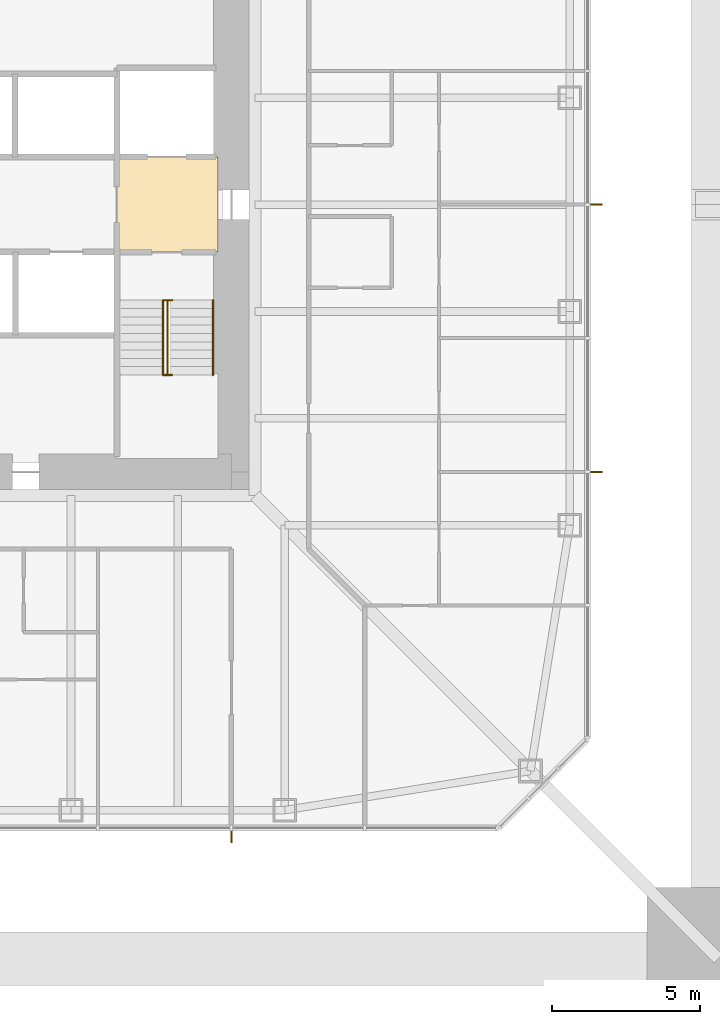
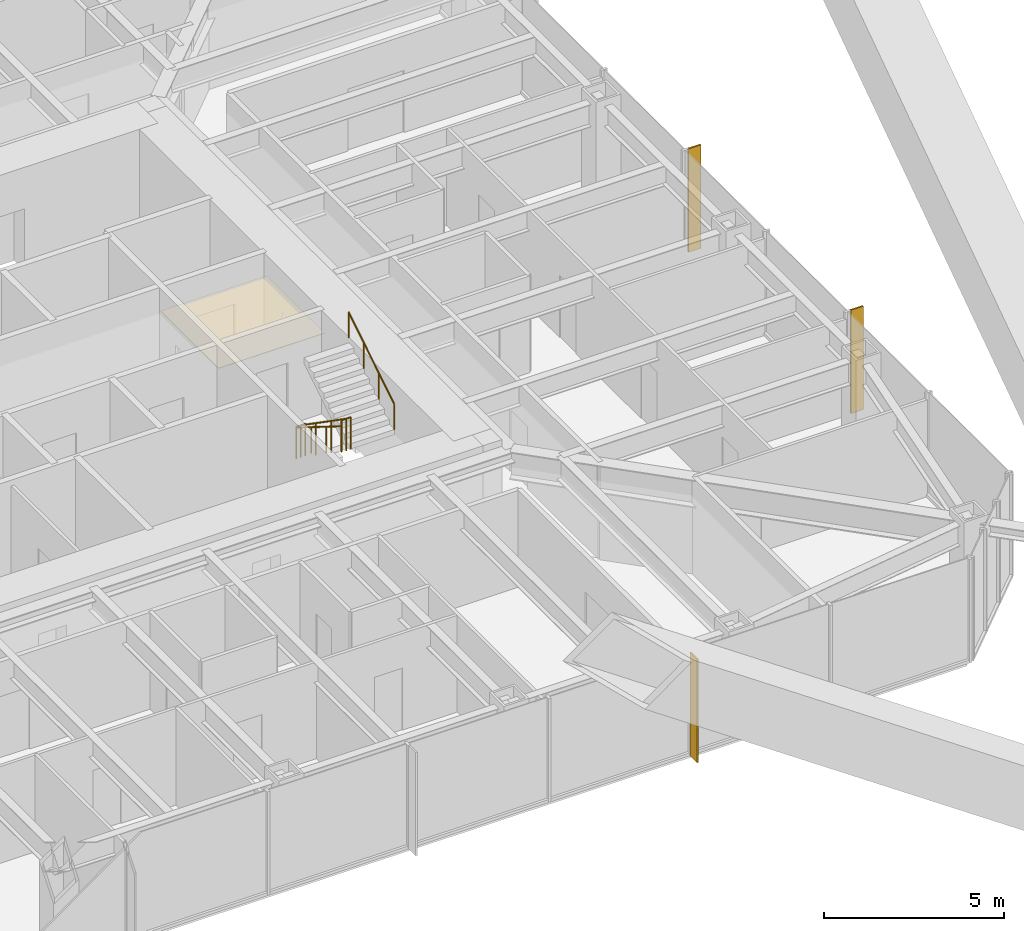
# One storey, part 24 of 26: 3 railings, 3 shading devices, 1 covering.
"""IFC4 building model written with IfcOpenShell, lengths in metres."""

import ifcopenshell
import ifcopenshell.guid

model = None  # the IFC model being written
_history = None  # IfcOwnerHistory: only IFC2X3 demands one
_inside = {}  # id of a spatial element -> (the spatial element, [elements in it])
_under = {}  # id of a project, library or spatial element -> (it, [spatial elements below it])
_declared = {}  # id of a project -> (the project, [libraries it declares])
_typed = {}  # id of a type object -> (the type object, [elements of that type])
_made_of = {}  # id of a material, layer set ... -> (it, [elements and type objects made of it])


def new_model(schema):
    """Start an empty IFC model of exactly this schema.

    Asked for "IFC4X3", IfcOpenShell would pick the latest addendum, in which some entities
    have other attributes; the version numbers below select the first issue.
    IFC2X3 requires an IfcOwnerHistory on every rooted entity: one is made here for all.
    """
    global model, _history
    if schema == "IFC4X3":
        model = ifcopenshell.file(schema_version=(4, 3, 0, 0))
    else:
        model = ifcopenshell.file(schema=schema)
    _inside.clear()
    _under.clear()
    _declared.clear()
    _typed.clear()
    _made_of.clear()
    _history = None
    if model.schema == "IFC2X3":
        org = make("IfcOrganization", Name="unknown")
        user = make(
            "IfcPersonAndOrganization",
            ThePerson=make("IfcPerson", FamilyName="unknown"),
            TheOrganization=org,
        )
        app = make(
            "IfcApplication",
            ApplicationDeveloper=org,
            Version="unknown",
            ApplicationFullName="unknown",
            ApplicationIdentifier="unknown",
        )
        _history = make(
            "IfcOwnerHistory",
            OwningUser=user,
            OwningApplication=app,
            ChangeAction="ADDED",
            CreationDate=0,
        )
    return model


def make(cls, **values):
    """One entity of the class cls with the attributes given. An attribute that is None is left unset."""
    return model.create_entity(
        cls, **{name: value for name, value in values.items() if value is not None}
    )


def rooted(cls, **values):
    """An entity with a GlobalId (a new one), such as an element, a storey or a relation."""
    return make(cls, GlobalId=ifcopenshell.guid.new(), OwnerHistory=_history, **values)


def si_unit(unit_type, name, prefix=None):
    """IfcSIUnit, for example si_unit("LENGTHUNIT", "METRE", prefix="MILLI")."""
    return make("IfcSIUnit", UnitType=unit_type, Prefix=prefix, Name=name)


def assignment(units):
    """IfcUnitAssignment: the units of a project."""
    return None if units is None else make("IfcUnitAssignment", Units=units)


def point(xyz):
    """IfcCartesianPoint."""
    return None if xyz is None else make("IfcCartesianPoint", Coordinates=xyz)


def direction(xyz):
    """IfcDirection."""
    return None if xyz is None else make("IfcDirection", DirectionRatios=xyz)


def frame(location, z_axis=None, x_axis=None):
    """IfcAxis2Placement3D, a coordinate frame: its origin and axes. An axis left out is left unset."""
    return make(
        "IfcAxis2Placement3D",
        Location=point(location),
        Axis=direction(z_axis),
        RefDirection=direction(x_axis),
    )


def frame_2d(location, x_axis=None):
    """IfcAxis2Placement2D, a coordinate frame in the plane: its origin and x axis."""
    return make(
        "IfcAxis2Placement2D", Location=point(location), RefDirection=direction(x_axis)
    )


def origin():
    """The frame at (0, 0, 0) with its axes left unset."""
    return frame((0.0, 0.0, 0.0))


def origin_2d():
    """The frame at (0, 0) in the plane with its x axis left unset."""
    return frame_2d((0.0, 0.0))


def place(relative_to, where):
    """IfcLocalPlacement: puts the frame where relative to a parent placement (None: the world)."""
    return make(
        "IfcLocalPlacement", PlacementRelTo=relative_to, RelativePlacement=where
    )


def context(
    kind, dimensions, precision=None, world=None, true_north=None, identifier=None
):
    """IfcGeometricRepresentationContext, for example the 3D "Model" context."""
    return make(
        "IfcGeometricRepresentationContext",
        ContextIdentifier=identifier,
        ContextType=kind,
        CoordinateSpaceDimension=dimensions,
        Precision=precision,
        WorldCoordinateSystem=world,
        TrueNorth=true_north,
    )


def subcontext(parent, identifier, kind, view, scale=None):
    """IfcGeometricRepresentationSubContext, for example "Body" below "Model"."""
    return make(
        "IfcGeometricRepresentationSubContext",
        ContextIdentifier=identifier,
        ContextType=kind,
        ParentContext=parent,
        TargetScale=scale,
        TargetView=view,
    )


def project(units=None, contexts=None):
    """IfcProject with its units and contexts."""
    return rooted(
        "IfcProject",
        Name="project",
        RepresentationContexts=contexts,
        UnitsInContext=assignment(units),
    )


def spatial(cls, under=None, at=None, **own):
    """A site, building, storey or space (cls), placed at a placement, below another one or the project."""
    s = rooted(cls, ObjectPlacement=at, **own)
    if under is not None:
        _under.setdefault(under.id(), (under, []))[1].append(s)
    return s


def polyline(points):
    """IfcPolyline through the points."""
    return make("IfcPolyline", Points=[point(p) for p in points])


def profile(cls, at=None, kind="AREA", **sizes):
    """A parametric profile (cls). Its sizes go by their IFC names, for example OverallWidth=200.0."""
    return make(cls, ProfileType=kind, Position=at, **sizes)


def rectangle(**sizes):
    """IfcRectangleProfileDef."""
    return profile("IfcRectangleProfileDef", **sizes)


def circle(**sizes):
    """IfcCircleProfileDef."""
    return profile("IfcCircleProfileDef", **sizes)


def outline(outer, holes=None, kind="AREA"):
    """IfcArbitraryClosedProfileDef: a profile drawn as a closed curve; with holes, ...WithVoids."""
    if holes is None:
        return make("IfcArbitraryClosedProfileDef", ProfileType=kind, OuterCurve=outer)
    return make(
        "IfcArbitraryProfileDefWithVoids",
        ProfileType=kind,
        OuterCurve=outer,
        InnerCurves=holes,
    )


def extrude(swept, where, along, depth):
    """IfcExtrudedAreaSolid: the profile swept, set in the frame where, extruded along a direction by depth."""
    return make(
        "IfcExtrudedAreaSolid",
        SweptArea=swept,
        Position=where,
        ExtrudedDirection=direction(along),
        Depth=depth,
    )


def shape(context_of_items, identifier, shape_type, items):
    """IfcShapeRepresentation: the items that make up one representation, for example the "Body"."""
    return make(
        "IfcShapeRepresentation",
        ContextOfItems=context_of_items,
        RepresentationIdentifier=identifier,
        RepresentationType=shape_type,
        Items=items,
    )


def material(Name=None, Category=None):
    """IfcMaterial."""
    return make("IfcMaterial", Name=Name, Category=Category)


def layer(
    of_material, thickness, ventilated=None, Name=None, Category=None, Priority=None
):
    """IfcMaterialLayer: one layer of a wall or slab, of a material (None: an air gap)."""
    return make(
        "IfcMaterialLayer",
        Material=of_material,
        LayerThickness=thickness,
        IsVentilated=ventilated,
        Name=Name,
        Category=Category,
        Priority=Priority,
    )


def layer_set(layers, Name=None):
    """IfcMaterialLayerSet."""
    return make("IfcMaterialLayerSet", MaterialLayers=layers, LayerSetName=Name)


def constituent(of_material, Name=None, Category=None, fraction=None):
    """IfcMaterialConstituent: one of the materials an element consists of."""
    return make(
        "IfcMaterialConstituent",
        Name=Name,
        Material=of_material,
        Fraction=fraction,
        Category=Category,
    )


def constituent_set(constituents=None, Name=None):
    """IfcMaterialConstituentSet."""
    return make(
        "IfcMaterialConstituentSet", Name=Name, MaterialConstituents=constituents
    )


def made_of(thing, what):
    """Note that an element or type object is made of a material, layer set ...; save() writes the relation."""
    if what is not None:
        _made_of.setdefault(what.id(), (what, []))[1].append(thing)
    return thing


def type_object(cls, material=None, **own):
    """A type object (cls), such as IfcWallType, which elements share."""
    return made_of(rooted(cls, **own), material)


def element(
    cls,
    number,
    at=None,
    inside=None,
    cuts=None,
    type_object=None,
    material=None,
    context=None,
    identifier="Body",
    shape_type=None,
    held_by="IfcProductDefinitionShape",
    body=None,
    shapes=None,
    **own,
):
    """One element of the class cls, such as IfcWall. Its Tag is "e" and its number.

    at: its placement. inside: the storey or other place that contains it. cuts: it is an
    opening in that element (IfcRelVoidsElement). A single representation is given by context,
    identifier, shape_type and body (its items); several are given by shapes. held_by: the class
    of the entity that holds the representations. save() writes the other relations.
    """
    e = rooted(cls, Tag="e%d" % number, ObjectPlacement=at, **own)
    if body is not None:
        shapes = [shape(context, identifier, shape_type, body)]
    if shapes is not None:
        e.Representation = make(held_by, Representations=shapes)
    if inside is not None:
        _inside.setdefault(inside.id(), (inside, []))[1].append(e)
    if cuts is not None:
        rooted(
            "IfcRelVoidsElement", RelatingBuildingElement=cuts, RelatedOpeningElement=e
        )
    if type_object is not None:
        _typed.setdefault(type_object.id(), (type_object, []))[1].append(e)
    return made_of(e, material)


def aggregate(whole, parts):
    """IfcRelAggregates: a whole, such as a stair, and the parts it consists of."""
    return rooted("IfcRelAggregates", RelatingObject=whole, RelatedObjects=parts)


def save(model, path):
    """Write the relations noted so far, then the file.

    IfcRelAggregates (storeys below a building ...), IfcRelContainedInSpatialStructure (elements
    in a storey), IfcRelDefinesByType, IfcRelAssociatesMaterial and IfcRelDeclares: one each for
    every whole, place, type object, material and project.
    """
    for whole, parts in _under.values():
        aggregate(whole, parts)
    for where, things in _inside.values():
        rooted(
            "IfcRelContainedInSpatialStructure",
            RelatedElements=things,
            RelatingStructure=where,
        )
    for kind, things in _typed.values():
        rooted("IfcRelDefinesByType", RelatedObjects=things, RelatingType=kind)
    for what, things in _made_of.values():
        rooted("IfcRelAssociatesMaterial", RelatedObjects=things, RelatingMaterial=what)
    for by, libraries in _declared.values():
        rooted("IfcRelDeclares", RelatingContext=by, RelatedDefinitions=libraries)
    model.write(path)


model = new_model("IFC4")

# Units and contexts
model_context = context("Model", 3, precision=1e-05, world=origin(), true_north=direction((0.0, 1.0)))
body_context = subcontext(model_context, "Body", "Model", "MODEL_VIEW")
ifc_project = project(units=[si_unit("LENGTHUNIT", "METRE"), si_unit("AREAUNIT", "SQUARE_METRE"), si_unit("VOLUMEUNIT", "CUBIC_METRE"), si_unit("PLANEANGLEUNIT", "RADIAN"), si_unit("MASSUNIT", "GRAM", prefix="KILO")], contexts=[model_context])

# Site, building, storey
site_placement = place(None, origin())
site = spatial("IfcSite", under=ifc_project, at=site_placement, CompositionType="ELEMENT")
building_placement = place(site_placement, origin())
building = spatial("IfcBuilding", under=site, at=building_placement, Name="Iwan Alto Co-Living Towers", CompositionType="ELEMENT")
storey_placement = place(building_placement, frame((0.0, 0.0, 115.5)))
storey = spatial("IfcBuildingStorey", under=building, at=storey_placement, Name="L31", CompositionType="ELEMENT", Elevation=115.5)

# Covering
ifc_material_1 = material(Name="Mineral fibre acoustic tiles on steel grid", Category="steel")
ifc_layer_1 = layer(ifc_material_1, 0.02001953125)
ifc_layer_set_1 = layer_set([ifc_layer_1], Name="ACOUSTIC TILE CEILING 20")
covering_type = type_object("IfcCoveringType", Name="ACOUSTIC TILE CEILING 20", PredefinedType="CEILING", material=ifc_layer_set_1)
covering_placement = place(storey_placement, frame((0.0, 0.0, 2.60009765625)))
element("IfcCovering", 1, at=covering_placement, inside=storey, type_object=covering_type, Name="Ceiling Firefighting lobby L31", PredefinedType="CEILING", context=body_context, shape_type="SweptSolid", body=[
    extrude(outline(polyline([(5.14990234375, -1.60009765625), (5.14990234375, 1.60009765625), (8.550048828125, 1.60009765625), (8.550048828125, -1.60009765625), (5.14990234375, -1.60009765625)])), origin(), (0.0, 0.0, 1.0), 0.02001953125),
])

# Shading devices
ifc_material_2 = material(Name="Aluminium 6063-T6 bronze anodised", Category="aluminium")
ifc_layer_2 = layer(ifc_material_2, 0.050048828125)
ifc_layer_set_2 = layer_set([ifc_layer_2], Name="BRONZE FIN 50X400")
shading_device_type = type_object("IfcShadingDeviceType", Name="BRONZE FIN 50X400", PredefinedType="USERDEFINED", material=ifc_layer_set_2)
for number, where, z_axis, x_axis, name in (
    (2, (9.0, -21.300048828125, 0.0), (0.0, 0.0, 1.0), (1.0, 0.0, 0.0), "Bronze fin L31"),
    (3, (21.300048828125, -9.0, 0.0), (0.0, 0.0, 1.0), (0.0, 1.0, 0.0), "Bronze fin L31"),
    (4, (21.300048828125, 0.0, 0.0), (0.0, 0.0, 1.0), (0.0, 1.0, 0.0), "Bronze fin L31"),
):
    element("IfcShadingDevice", number, at=place(storey_placement, frame(where, z_axis=z_axis, x_axis=x_axis)), inside=storey, type_object=shading_device_type, Name=name, ObjectType="LOUVER", PredefinedType="USERDEFINED", context=body_context, shape_type="SweptSolid", body=[
        extrude(rectangle(XDim=0.050048828125, YDim=0.39990234375, at=origin_2d()), origin(), (0.0, 0.0, 1.0), 3.5),
    ])

# Railings
ifc_material_3 = material(Name="Steel ASTM A500 Gr C", Category="steel")
ifc_constituent_1 = constituent(ifc_material_3, Name="Rails and posts", Category="Framing")
ifc_material_4 = material(Name="Steel ASTM A36", Category="steel")
ifc_constituent_2 = constituent(ifc_material_4, Name="Bar infill", Category="Infill")
ifc_constituent_set = constituent_set(constituents=[ifc_constituent_1, ifc_constituent_2], Name="STAIR GUARD 1100")
railing_type_1 = type_object("IfcRailingType", Name="STAIR GUARD 1100", PredefinedType="GUARDRAIL", material=ifc_constituent_set)
railing_1_placement = place(storey_placement, frame((6.85009765625, -3.219970703125, 0.0)))
element("IfcRailing", 5, at=railing_1_placement, inside=storey, type_object=railing_type_1, Name="Stair T1-S2 well guard L31", PredefinedType="GUARDRAIL", context=body_context, shape_type="SweptSolid", body=[
    extrude(circle(Radius=0.02392578125, at=origin_2d()), frame((0.0, 0.0, 1.076171875), z_axis=(0.0, -0.821372036852, 0.570392826987), x_axis=(1.0, 0.0, 0.0)), (0.0, 0.0, 1.0), 3.068115234375),
    extrude(circle(Radius=0.02392578125, at=origin_2d()), frame((-0.150146484375, 0.0, 1.076171875), z_axis=(1.0, 0.0, 0.0), x_axis=(0.0, 1.0, 0.0)), (0.0, 0.0, 1.0), 0.300048828125),
    extrude(circle(Radius=0.02392578125, at=origin_2d()), frame((-0.150146484375, -2.52001953125, 2.826171875), z_axis=(1.0, 0.0, 0.0), x_axis=(0.0, 1.0, 0.0)), (0.0, 0.0, 1.0), 0.300048828125),
    extrude(circle(Radius=0.02099609375, at=origin_2d()), origin(), (0.0, 0.0, 1.0), 1.052001953125),
    extrude(circle(Radius=0.02099609375, at=origin_2d()), frame((0.0, -0.840087890625, 0.583251953125)), (0.0, 0.0, 1.0), 1.052001953125),
    extrude(circle(Radius=0.02099609375, at=origin_2d()), frame((0.0, -1.679931640625, 1.166748046875)), (0.0, 0.0, 1.0), 1.052001953125),
    extrude(circle(Radius=0.02099609375, at=origin_2d()), frame((0.0, -2.52001953125, 1.75)), (0.0, 0.0, 1.0), 1.052001953125),
    extrude(circle(Radius=0.02099609375, at=origin_2d()), frame((-0.150146484375, 0.0, 0.0)), (0.0, 0.0, 1.0), 1.052001953125),
    extrude(circle(Radius=0.02099609375, at=origin_2d()), frame((0.14990234375, 0.0, 0.0)), (0.0, 0.0, 1.0), 1.052001953125),
    extrude(circle(Radius=0.02099609375, at=origin_2d()), frame((-0.150146484375, -2.52001953125, 1.75)), (0.0, 0.0, 1.0), 1.052001953125),
    extrude(circle(Radius=0.02099609375, at=origin_2d()), frame((0.14990234375, -2.52001953125, 1.75)), (0.0, 0.0, 1.0), 1.052001953125),
])
ifc_material_5 = material(Name="Steel ASTM A500 Gr C", Category="steel")
railing_type_2 = type_object("IfcRailingType", Name="STAIR HANDRAIL 900", PredefinedType="HANDRAIL", material=ifc_material_5)
railing_2_placement = place(storey_placement, frame((6.699951171875, -3.219970703125, 0.175048828125)))
element("IfcRailing", 6, at=railing_2_placement, inside=storey, type_object=railing_type_2, Name="Stair T1-S2 handrail 1 L31", PredefinedType="HANDRAIL", context=body_context, shape_type="SweptSolid", body=[
    extrude(circle(Radius=0.02392578125, at=origin_2d()), frame((0.0, 0.0, 0.8759765625), z_axis=(0.0, -0.848007534815, 0.529984170421), x_axis=(1.0, 0.0, 0.0)), (0.0, 0.0, 1.0), 2.9716796875),
    extrude(circle(Radius=0.02099609375, at=origin_2d()), origin(), (0.0, 0.0, 1.0), 0.851806640625),
    extrude(circle(Radius=0.02099609375, at=origin_2d()), frame((0.0, -0.840087890625, 0.52490234375)), (0.0, 0.0, 1.0), 0.851806640625),
    extrude(circle(Radius=0.02099609375, at=origin_2d()), frame((0.0, -1.679931640625, 1.050048828125)), (0.0, 0.0, 1.0), 0.851806640625),
    extrude(circle(Radius=0.02099609375, at=origin_2d()), frame((0.0, -2.52001953125, 1.574951171875)), (0.0, 0.0, 1.0), 0.851806640625),
])
railing_3_placement = place(storey_placement, frame((8.3798828125, -5.739990234375, 1.925048828125)))
element("IfcRailing", 7, at=railing_3_placement, inside=storey, type_object=railing_type_2, Name="Stair T1-S2 handrail 2 L31", PredefinedType="HANDRAIL", context=body_context, shape_type="SweptSolid", body=[
    extrude(circle(Radius=0.02392578125, at=origin_2d()), frame((0.0, 0.0, 0.8759765625), z_axis=(0.0, 0.848007534815, 0.529984170421), x_axis=(-1.0, 0.0, 0.0)), (0.0, 0.0, 1.0), 2.9716796875),
    extrude(circle(Radius=0.02099609375, at=origin_2d()), origin(), (0.0, 0.0, 1.0), 0.851806640625),
    extrude(circle(Radius=0.02099609375, at=origin_2d()), frame((0.0, 0.840087890625, 0.52490234375)), (0.0, 0.0, 1.0), 0.851806640625),
    extrude(circle(Radius=0.02099609375, at=origin_2d()), frame((0.0, 1.679931640625, 1.050048828125)), (0.0, 0.0, 1.0), 0.851806640625),
    extrude(circle(Radius=0.02099609375, at=origin_2d()), frame((0.0, 2.52001953125, 1.574951171875)), (0.0, 0.0, 1.0), 0.851806640625),
])

save(model, "model.ifc")
